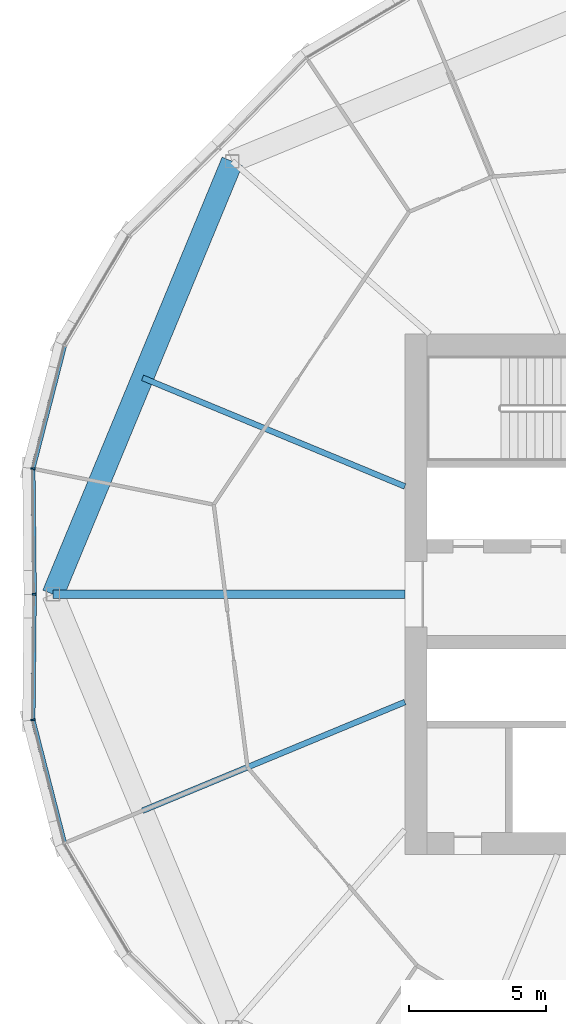
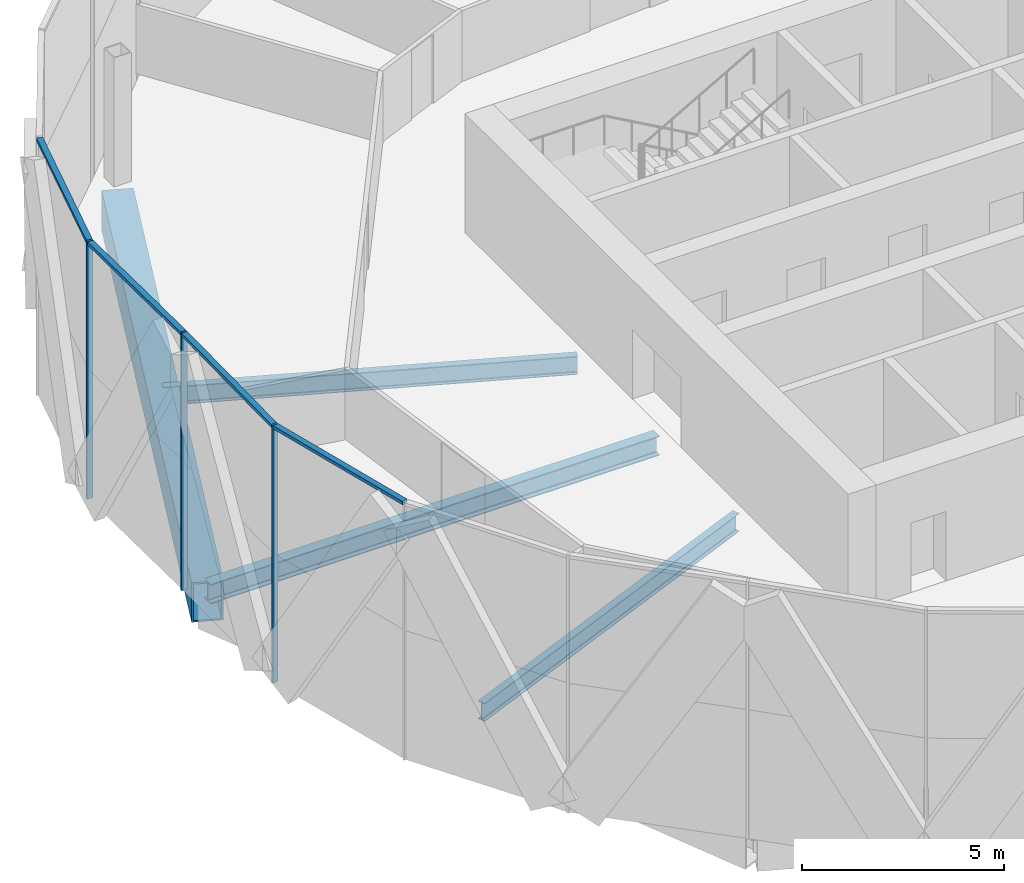
# One storey, part 5 of 27: 7 members, 4 beams, 2 elements without a shape of their own.
"""IFC4 building model written with IfcOpenShell, lengths in metres."""

from ifc_helpers import new_model, si_unit, direction, frame, origin, origin_2d, place, context, subcontext, project, spatial, rectangle, hollow_rectangle, i_section, extrude, material, material_profile, profile_set, type_object, element, aggregate, save


model = new_model("IFC4")

# Units and contexts
model_context = context("Model", 3, precision=1e-05, world=origin(), true_north=direction((0.0, 1.0)))
body_context = subcontext(model_context, "Body", "Model", "MODEL_VIEW")
ifc_project = project(units=[si_unit("LENGTHUNIT", "METRE"), si_unit("AREAUNIT", "SQUARE_METRE"), si_unit("VOLUMEUNIT", "CUBIC_METRE"), si_unit("PLANEANGLEUNIT", "RADIAN"), si_unit("MASSUNIT", "GRAM", prefix="KILO")], contexts=[model_context])

# Site, building, storey
site_placement = place(None, origin())
site = spatial("IfcSite", under=ifc_project, at=site_placement, CompositionType="ELEMENT")
building_placement = place(site_placement, origin())
building = spatial("IfcBuilding", under=site, at=building_placement, Name="Ogive Gate Towers", CompositionType="ELEMENT")
storey_placement = place(building_placement, frame((0.0, 0.0, 123.0)))
storey = spatial("IfcBuildingStorey", under=building, at=storey_placement, Name="L29", CompositionType="ELEMENT", Elevation=123.0)

# Beams
ifc_material_1 = material(Name="Steel SM460", Category="steel")
ifc_material_profile_1 = material_profile(ifc_material_1, hollow_rectangle(XDim=0.800048828125, YDim=1.199951171875, WallThickness=0.050048828125, at=origin_2d()), Name="BX 1200x800x50")
ifc_profile_set_1 = profile_set([ifc_material_profile_1], Name="Steel SM460")
beam_type_1 = type_object("IfcBeamType", Name="Edge girder BX 1200x800x50", PredefinedType="BEAM", material=ifc_profile_set_1)
beam_1_placement = place(storey_placement, frame((-51.803955078125, 15.803955078125, -0.89990234375), z_axis=(-0.382679941797, -0.923880978344, 0.0), x_axis=(0.923880978344, -0.382679941797, 0.0)))
element("IfcBeam", 1, at=beam_1_placement, inside=storey, type_object=beam_type_1, Name="T1/L29/SBM023", PredefinedType="BEAM", context=body_context, shape_type="SweptSolid", body=[
    extrude(hollow_rectangle(XDim=0.800048828125, YDim=1.199951171875, WallThickness=0.050048828125, at=origin_2d()), origin(), (0.0, 0.0, 1.0), 17.10595703125),
])
ifc_material_2 = material(Name="Steel SM355", Category="steel")
ifc_material_profile_2 = material_profile(ifc_material_2, i_section(OverallWidth=0.300048828125, OverallDepth=0.590087890625, WebThickness=0.012939453125, FlangeThickness=0.02490234375, FilletRadius=0.027099609375, at=origin_2d()), Name="HE 600 A")
ifc_profile_set_2 = profile_set([ifc_material_profile_2], Name="Steel SM355")
beam_type_2 = type_object("IfcBeamType", Name="Radial floor beam HE 600 A", PredefinedType="BEAM", material=ifc_profile_set_2)
beam_2_placement = place(storey_placement, frame((-45.5, 0.0, -0.594970703125), z_axis=(-1.0, 0.0, 0.0), x_axis=(0.0, -1.0, 0.0)))
element("IfcBeam", 2, at=beam_2_placement, inside=storey, type_object=beam_type_2, Name="T1/L29/SBM015", PredefinedType="BEAM", context=body_context, shape_type="SweptSolid", body=[
    extrude(i_section(OverallWidth=0.300048828125, OverallDepth=0.590087890625, WebThickness=0.012939453125, FlangeThickness=0.02490234375, FilletRadius=0.027099609375, at=origin_2d()), origin(), (0.0, 0.0, 1.0), 12.85009765625),
])
ifc_material_profile_3 = material_profile(ifc_material_2, i_section(OverallWidth=0.2099609375, OverallDepth=0.550048828125, WebThickness=0.010986328125, FlangeThickness=0.01708984375, FilletRadius=0.02392578125, at=origin_2d()), Name="IPE 550")
ifc_profile_set_3 = profile_set([ifc_material_profile_3], Name="Steel SM355")
beam_type_3 = type_object("IfcBeamType", Name="Radial floor beam IPE 550", PredefinedType="BEAM", material=ifc_profile_set_3)
for number, where, z_axis, x_axis, name in (
    (3, (-45.5, 3.93505859375, -0.574951171875), (-0.92388249198, 0.382676287498, 0.0), (-0.382676287498, -0.92388249198, 0.0), "T1/L29/SBM014"),
    (4, (-45.5, -3.93505859375, -0.574951171875), (-0.92388249198, -0.382676287498, 0.0), (0.382676287498, -0.92388249198, 0.0), "T1/L29/SBM016"),
):
    element("IfcBeam", number, at=place(storey_placement, frame(where, z_axis=z_axis, x_axis=x_axis)), inside=storey, type_object=beam_type_3, Name=name, PredefinedType="BEAM", context=body_context, shape_type="SweptSolid", body=[
        extrude(i_section(OverallWidth=0.2099609375, OverallDepth=0.550048828125, WebThickness=0.010986328125, FlangeThickness=0.01708984375, FilletRadius=0.02392578125, at=origin_2d()), origin(), (0.0, 0.0, 1.0), 10.365966796875),
    ])

# Curtain wall, members
ifc_material_3 = material(Name="Pale metal aluminium", Category="aluminium")
curtain_wall_type = type_object("IfcCurtainWallType", Name="Tower unitised wall, low zone", PredefinedType="NOTDEFINED", material=ifc_material_3)
curtain_wall_1_placement = place(storey_placement, origin())
curtain_wall_1 = element("IfcCurtainWall", 5, at=curtain_wall_1_placement, inside=storey, type_object=curtain_wall_type, Name="CW1 T1 ECW04", PredefinedType="NOTDEFINED")
ifc_material_profile_4 = material_profile(ifc_material_3, rectangle(XDim=0.159912109375, YDim=0.06005859375, at=origin_2d()), Name="60 x 160 aluminium box")
ifc_profile_set_4 = profile_set([ifc_material_profile_4], Name="Pale metal aluminium")
member_type_1 = type_object("IfcMemberType", Name="Tower unitised wall, low zone mullion 60 x 160", PredefinedType="MULLION", material=ifc_profile_set_4)
member_1_placement = place(storey_placement, frame((-59.07958984375, 4.584716796875, -0.300048828125), z_axis=(0.0, 0.0, 1.0), x_axis=(-0.992769917186, 0.12003287687, 0.0)))
member_1 = element("IfcMember", 6, at=member_1_placement, type_object=member_type_1, Name="CW1 mullion", PredefinedType="MULLION", context=body_context, shape_type="SweptSolid", body=[
    extrude(rectangle(XDim=0.159912109375, YDim=0.06005859375, at=origin_2d()), origin(), (0.0, 0.0, 1.0), 7.800048828125),
])
member_2_placement = place(storey_placement, frame((-59.030029296875, 0.000244140625, -0.300048828125), z_axis=(0.0, 0.0, 1.0), x_axis=(-0.999941453103, -0.010820830182, 0.0)))
member_2 = element("IfcMember", 7, at=member_2_placement, type_object=member_type_1, Name="CW1 mullion", PredefinedType="MULLION", context=body_context, shape_type="SweptSolid", body=[
    extrude(rectangle(XDim=0.159912109375, YDim=0.06005859375, at=origin_2d()), origin(), (0.0, 0.0, 1.0), 7.800048828125),
])

# Curtain wall, member
curtain_wall_2_placement = place(storey_placement, origin())
curtain_wall_2 = element("IfcCurtainWall", 8, at=curtain_wall_2_placement, inside=storey, type_object=curtain_wall_type, Name="CW1 T1 ECW05", PredefinedType="NOTDEFINED")
member_3_placement = place(storey_placement, frame((-59.07958984375, -4.584716796875, -0.300048828125), z_axis=(0.0, 0.0, 1.0), x_axis=(-0.992769917186, -0.12003287687, 0.0)))
member_3 = element("IfcMember", 9, at=member_3_placement, type_object=member_type_1, Name="CW1 mullion", PredefinedType="MULLION", context=body_context, shape_type="SweptSolid", body=[
    extrude(rectangle(XDim=0.159912109375, YDim=0.06005859375, at=origin_2d()), origin(), (0.0, 0.0, 1.0), 7.800048828125),
])

# Member
ifc_material_profile_5 = material_profile(ifc_material_3, rectangle(XDim=0.159912109375, YDim=0.10009765625, at=origin_2d()), Name="100 x 160 aluminium box")
ifc_profile_set_5 = profile_set([ifc_material_profile_5], Name="Pale metal aluminium")
member_type_2 = type_object("IfcMemberType", Name="Tower unitised wall, low zone transom 100 x 160", PredefinedType="USERDEFINED", material=ifc_profile_set_5)
member_4_placement = place(storey_placement, frame((-57.93115234375, 9.05517578125, 7.449951171875), z_axis=(-0.248802897809, -0.968554137899, 0.0), x_axis=(0.968554137899, -0.248802897809, 0.0)))
member_4 = element("IfcMember", 10, at=member_4_placement, type_object=member_type_2, Name="CW1 transom", ObjectType="TRANSOM", PredefinedType="USERDEFINED", context=body_context, shape_type="SweptSolid", body=[
    extrude(rectangle(XDim=0.159912109375, YDim=0.10009765625, at=origin_2d()), origin(), (0.0, 0.0, 1.0), 4.58837890625),
])

member_5_placement = place(storey_placement, frame((-59.079345703125, 4.55712890625, 7.449951171875), z_axis=(0.010839617688, -0.999941249618, 0.0), x_axis=(0.999941249618, 0.010839617688, 0.0)))
member_5 = element("IfcMember", 11, at=member_5_placement, type_object=member_type_2, Name="CW1 transom", ObjectType="TRANSOM", PredefinedType="USERDEFINED", context=body_context, shape_type="SweptSolid", body=[
    extrude(rectangle(XDim=0.159912109375, YDim=0.10009765625, at=origin_2d()), origin(), (0.0, 0.0, 1.0), 4.527099609375),
])

aggregate(curtain_wall_1, [member_1, member_4, member_2, member_5])

member_6_placement = place(storey_placement, frame((-59.0302734375, -0.0302734375, 7.449951171875), z_axis=(-0.010839617688, -0.999941249618, 0.0), x_axis=(0.999941249618, -0.010839617688, 0.0)))
member_6 = element("IfcMember", 12, at=member_6_placement, type_object=member_type_2, Name="CW1 transom", ObjectType="TRANSOM", PredefinedType="USERDEFINED", context=body_context, shape_type="SweptSolid", body=[
    extrude(rectangle(XDim=0.159912109375, YDim=0.10009765625, at=origin_2d()), origin(), (0.0, 0.0, 1.0), 4.527099609375),
])

member_7_placement = place(storey_placement, frame((-59.07275390625, -4.611083984375, 7.449951171875), z_axis=(0.248802897809, -0.968554137899, 0.0), x_axis=(0.968554137899, 0.248802897809, 0.0)))
member_7 = element("IfcMember", 13, at=member_7_placement, type_object=member_type_2, Name="CW1 transom", ObjectType="TRANSOM", PredefinedType="USERDEFINED", context=body_context, shape_type="SweptSolid", body=[
    extrude(rectangle(XDim=0.159912109375, YDim=0.10009765625, at=origin_2d()), origin(), (0.0, 0.0, 1.0), 4.58837890625),
])

aggregate(curtain_wall_2, [member_3, member_6, member_7])

save(model, "model.ifc")
